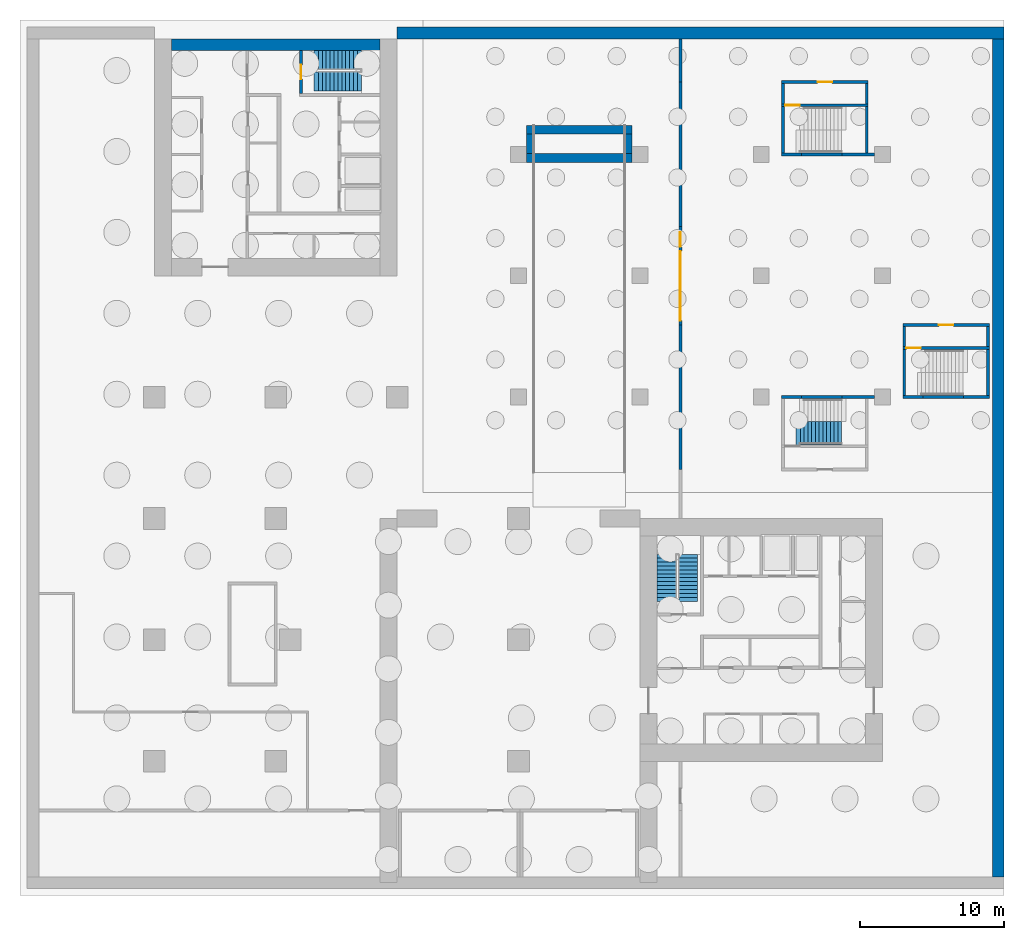
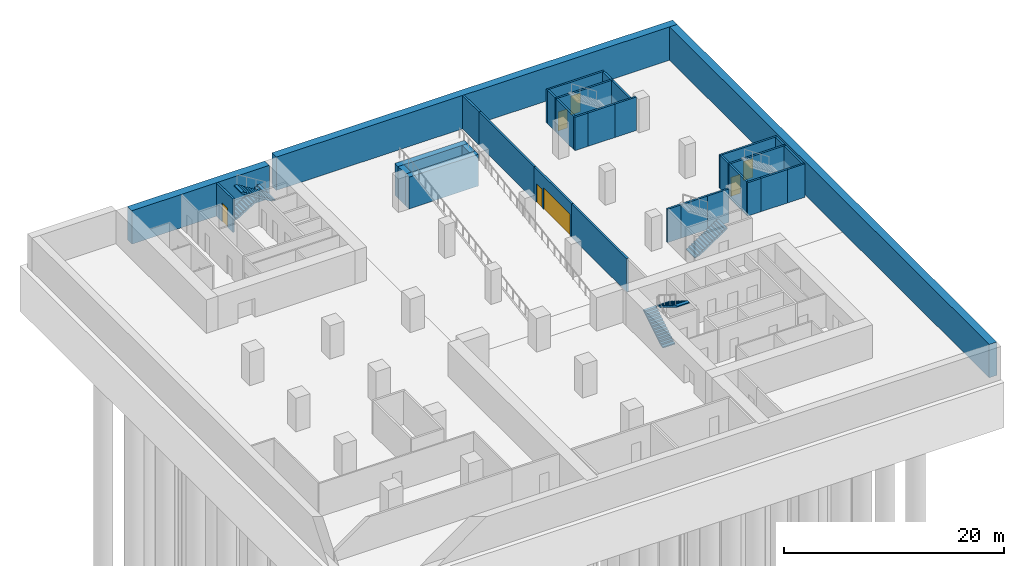
# One storey, part 5 of 8: 33 walls, 7 doors, 5 stair flights, 7 openings, 3 elements without a shape of their own.
"""IFC4 building model written with IfcOpenShell, lengths in metres."""

from ifc_helpers import new_model, si_unit, direction, frame, frame_2d, origin, place, context, subcontext, project, spatial, polyline, rectangle, outline, extrude, material, layer, layer_set, type_object, element, fill, aggregate, save


model = new_model("IFC4")

# Units and contexts
model_context = context("Model", 3, precision=1e-05, world=origin(), true_north=direction((0.0, 1.0)))
body_context = subcontext(model_context, "Body", "Model", "MODEL_VIEW")
ifc_project = project(units=[si_unit("LENGTHUNIT", "METRE"), si_unit("AREAUNIT", "SQUARE_METRE"), si_unit("VOLUMEUNIT", "CUBIC_METRE"), si_unit("PLANEANGLEUNIT", "RADIAN"), si_unit("MASSUNIT", "GRAM", prefix="KILO")], contexts=[model_context])

# Site, building, storey
site_placement = place(None, origin())
site = spatial("IfcSite", under=ifc_project, at=site_placement, CompositionType="ELEMENT")
building_placement = place(site_placement, origin())
building = spatial("IfcBuilding", under=site, at=building_placement, Name="Vermilion Gate Residences", CompositionType="ELEMENT")
storey_placement = place(building_placement, frame((0.0, 0.0, -16.0)))
storey = spatial("IfcBuildingStorey", under=building, at=storey_placement, Name="B4", CompositionType="ELEMENT", Elevation=-16.0)

# Wall
ifc_material_1 = material(Name="Concrete blockwork", Category="masonry")
ifc_layer_1 = layer(ifc_material_1, 0.199951171875)
ifc_layer_set_1 = layer_set([ifc_layer_1], Name="GARAGE FIRE WALL 200 EI 120 (AMENITY)")
wall_type_1 = type_object("IfcWallType", Name="GARAGE FIRE WALL 200 EI 120 (AMENITY)", PredefinedType="PARTITIONING", material=ifc_layer_set_1)
wall_1_placement = place(storey_placement, frame((44.800048828125, 28.60009765625, 0.0), z_axis=(0.0, 0.0, 1.0), x_axis=(0.0, 1.0, 0.0)))
element("IfcWall", 1, at=wall_1_placement, inside=storey, type_object=wall_type_1, Name="Fire compartment wall", PredefinedType="PARTITIONING", context=body_context, shape_type="SweptSolid", body=[
    extrude(rectangle(XDim=10.0, YDim=0.199951171875, at=frame_2d((5.0, 0.0))), origin(), (0.0, 0.0, 1.0), 3.699951171875),
])

# Wall, openings, doors
wall_2_placement = place(storey_placement, frame((44.800048828125, 38.60009765625, 0.0), z_axis=(0.0, 0.0, 1.0), x_axis=(0.0, 1.0, 0.0)))
wall_2 = element("IfcWall", 2, at=wall_2_placement, inside=storey, type_object=wall_type_1, Name="Fire compartment wall", PredefinedType="PARTITIONING", context=body_context, shape_type="SweptSolid", body=[
    extrude(rectangle(XDim=6.7998046875, YDim=0.199951171875, at=frame_2d((3.39990234375, 0.0))), origin(), (0.0, 0.0, 1.0), 3.699951171875),
])
opening_1_placement = place(wall_2_placement, frame((0.300048828125, 0.0, 0.0)))
opening_1 = element("IfcOpeningElement", 3, at=opening_1_placement, cuts=wall_2, Name="Opening DGB4001", PredefinedType="OPENING", context=body_context, shape_type="SweptSolid", body=[
    extrude(rectangle(XDim=4.800048828125, YDim=2.39990234375, at=frame_2d((2.39990234375, 1.199951171875))), frame((0.0, 0.10986328125, 0.0), z_axis=(0.0, -1.0, 0.0), x_axis=(1.0, 0.0, 0.0)), (0.0, 0.0, 1.0), 0.219970703125),
])
opening_2_placement = place(wall_2_placement, frame((5.39990234375, 0.0, 0.0)))
opening_2 = element("IfcOpeningElement", 4, at=opening_2_placement, cuts=wall_2, Name="Opening DGB4002", PredefinedType="OPENING", context=body_context, shape_type="SweptSolid", body=[
    extrude(rectangle(XDim=1.0, YDim=2.10009765625, at=frame_2d((0.5, 1.050048828125))), frame((0.0, 0.10986328125, 0.0), z_axis=(0.0, -1.0, 0.0), x_axis=(1.0, 0.0, 0.0)), (0.0, 0.0, 1.0), 0.219970703125),
])
ifc_material_2 = material(Name="Steel", Category="steel")
door_type_1 = type_object("IfcDoorType", Name="DOOR 1000 X 2100 FD120 (AMENITY)", OperationType="SINGLE_SWING_LEFT", PredefinedType="DOOR", material=ifc_material_2)
door_1_placement = place(opening_2_placement, frame((1.0, 0.0, 0.0), z_axis=(0.0, 0.0, 1.0), x_axis=(-1.0, 0.0, 0.0)))
door_1 = element("IfcDoor", 5, at=door_1_placement, inside=storey, type_object=door_type_1, Name="Fire door", OperationType="SINGLE_SWING_RIGHT", OverallHeight=2.10009765625, OverallWidth=1.0, PredefinedType="DOOR", context=body_context, shape_type="SweptSolid", body=[
    extrude(rectangle(XDim=1.0, YDim=2.10009765625, at=frame_2d((0.5, 1.050048828125))), frame((0.0, 0.02490234375, 0.0), z_axis=(0.0, -1.0, 0.0), x_axis=(1.0, 0.0, 0.0)), (0.0, 0.0, 1.0), 0.050048828125),
])
fill(opening_2, door_1)
ifc_material_3 = material(Name="Steel", Category="steel")
door_type_2 = type_object("IfcDoorType", Name="FIRE SHUTTER 4800 X 2400 (AMENITY)", OperationType="ROLLINGUP", PredefinedType="GATE", material=ifc_material_3)
door_2_placement = place(opening_1_placement, origin())
door_2 = element("IfcDoor", 6, at=door_2_placement, inside=storey, type_object=door_type_2, Name="Fire shutter", OperationType="ROLLINGUP", OverallHeight=2.39990234375, OverallWidth=4.800048828125, PredefinedType="GATE", context=body_context, shape_type="SweptSolid", body=[
    extrude(rectangle(XDim=4.800048828125, YDim=2.39990234375, at=frame_2d((2.39990234375, 1.199951171875))), frame((0.0, 0.02490234375, 0.0), z_axis=(0.0, -1.0, 0.0), x_axis=(1.0, 0.0, 0.0)), (0.0, 0.0, 1.0), 0.050048828125),
])
fill(opening_1, door_2)

# Walls
wall_3_placement = place(storey_placement, frame((44.800048828125, 45.39990234375, 0.0), z_axis=(0.0, 0.0, 1.0), x_axis=(0.0, 1.0, 0.0)))
element("IfcWall", 7, at=wall_3_placement, inside=storey, type_object=wall_type_1, Name="Fire compartment wall", PredefinedType="PARTITIONING", context=body_context, shape_type="SweptSolid", body=[
    extrude(rectangle(XDim=10.0, YDim=0.199951171875, at=frame_2d((5.0, 0.0))), origin(), (0.0, 0.0, 1.0), 3.699951171875),
])
wall_4_placement = place(storey_placement, frame((44.800048828125, 55.39990234375, 0.0), z_axis=(0.0, 0.0, 1.0), x_axis=(0.0, 1.0, 0.0)))
element("IfcWall", 8, at=wall_4_placement, inside=storey, type_object=wall_type_1, Name="Fire compartment wall", PredefinedType="PARTITIONING", context=body_context, shape_type="SweptSolid", body=[
    extrude(rectangle(XDim=3.0, YDim=0.199951171875, at=frame_2d((1.5, 0.0))), origin(), (0.0, 0.0, 1.0), 3.699951171875),
])
ifc_material_4 = material(Name="Concrete C40", Category="concrete")
ifc_layer_2 = layer(ifc_material_4, 0.60009765625)
ifc_layer_set_2 = layer_set([ifc_layer_2], Name="RAMP ABUTMENT WALL 600 (AMENITY)")
wall_type_2 = type_object("IfcWallType", Name="RAMP ABUTMENT WALL 600 (AMENITY)", PredefinedType="SOLIDWALL", material=ifc_layer_set_2)
for number, where, z_axis, x_axis, name in (
    (9, (34.14990234375, 50.14990234375, 0.0), (0.0, 0.0, 1.0), (1.0, 0.0, 0.0), "Ramp 4 abutment springing wall"),
    (10, (34.14990234375, 52.10009765625, 0.0), (0.0, 0.0, 1.0), (1.0, 0.0, 0.0), "Ramp 4 abutment head wall"),
):
    element("IfcWall", number, at=place(storey_placement, frame(where, z_axis=z_axis, x_axis=x_axis)), inside=storey, type_object=wall_type_2, Name=name, PredefinedType="SOLIDWALL", context=body_context, shape_type="SweptSolid", body=[
        extrude(rectangle(XDim=7.300048828125, YDim=0.60009765625, at=frame_2d((3.64990234375, 0.0))), origin(), (0.0, 0.0, 1.0), 3.52001953125),
    ])
for number, where, z_axis, x_axis, name in (
    (11, (34.449951171875, 50.449951171875, 0.0), (0.0, 0.0, 1.0), (0.0, 1.0, 0.0), "Ramp 4 abutment west wing wall"),
    (12, (41.14990234375, 50.449951171875, 0.0), (0.0, 0.0, 1.0), (0.0, 1.0, 0.0), "Ramp 4 abutment east wing wall"),
):
    element("IfcWall", number, at=place(storey_placement, frame(where, z_axis=z_axis, x_axis=x_axis)), inside=storey, type_object=wall_type_2, Name=name, PredefinedType="SOLIDWALL", context=body_context, shape_type="SweptSolid", body=[
        extrude(rectangle(XDim=1.35009765625, YDim=0.60009765625, at=frame_2d((0.675048828125, 0.0))), origin(), (0.0, 0.0, 1.0), 3.52001953125),
    ])

# Wall, opening, door
ifc_material_5 = material(Name="Concrete C60", Category="concrete")
ifc_layer_3 = layer(ifc_material_5, 0.199951171875)
ifc_layer_set_3 = layer_set([ifc_layer_3], Name="RC CORE INTERNAL WALL 200 C60")
wall_type_3 = type_object("IfcWallType", Name="RC CORE INTERNAL WALL 200 C60", PredefinedType="SHEAR", material=ifc_layer_set_3)
wall_5_placement = place(storey_placement, frame((18.550048828125, 57.60009765625, 0.0), z_axis=(0.0, 0.0, 1.0), x_axis=(0.0, -1.0, 0.0)))
wall_5 = element("IfcWall", 13, at=wall_5_placement, inside=storey, type_object=wall_type_3, Name="Core internal wall BB4-STW-S", PredefinedType="SHEAR", context=body_context, shape_type="SweptSolid", body=[
    extrude(rectangle(XDim=3.0, YDim=0.199951171875, at=frame_2d((1.5, 0.0))), origin(), (0.0, 0.0, 1.0), 3.699951171875),
])
opening_3_placement = place(wall_5_placement, frame((1.0, 0.0, 0.0)))
opening_3 = element("IfcOpeningElement", 14, at=opening_3_placement, cuts=wall_5, Name="Opening DKB4111", PredefinedType="OPENING", context=body_context, shape_type="SweptSolid", body=[
    extrude(rectangle(XDim=1.0, YDim=2.10009765625, at=frame_2d((0.5, 1.050048828125))), frame((0.0, 0.10986328125, 0.0), z_axis=(0.0, -1.0, 0.0), x_axis=(1.0, 0.0, 0.0)), (0.0, 0.0, 1.0), 0.219970703125),
])
ifc_material_6 = material(Name="Steel", Category="steel")
door_type_3 = type_object("IfcDoorType", Name="FIRE DOOR FD60 1000 X 2100", OperationType="SINGLE_SWING_LEFT", PredefinedType="DOOR", material=ifc_material_6)
door_3_placement = place(opening_3_placement, origin())
door_3 = element("IfcDoor", 15, at=door_3_placement, inside=storey, type_object=door_type_3, Name="Stair door BB4", OperationType="SINGLE_SWING_LEFT", OverallHeight=2.10009765625, OverallWidth=1.0, PredefinedType="DOOR", context=body_context, shape_type="SweptSolid", body=[
    extrude(rectangle(XDim=1.0, YDim=2.10009765625, at=frame_2d((0.5, 1.050048828125))), frame((0.0, 0.02490234375, 0.0), z_axis=(0.0, -1.0, 0.0), x_axis=(1.0, 0.0, 0.0)), (0.0, 0.0, 1.0), 0.050048828125),
])
fill(opening_3, door_3)

# Walls
ifc_material_7 = material(Name="Concrete C80", Category="concrete")
ifc_layer_4 = layer(ifc_material_7, 0.800048828125)
ifc_layer_set_4 = layer_set([ifc_layer_4], Name="RC CORE WALL 800 C80")
wall_type_4 = type_object("IfcWallType", Name="RC CORE WALL 800 C80", PredefinedType="SHEAR", material=ifc_layer_set_4)
wall_6_placement = place(storey_placement, frame((9.60009765625, 58.0, 0.0), z_axis=(0.0, 0.0, 1.0), x_axis=(1.0, 0.0, 0.0)))
element("IfcWall", 16, at=wall_6_placement, inside=storey, type_object=wall_type_4, Name="Core wall BB4-OUT-FR", PredefinedType="SHEAR", context=body_context, shape_type="SweptSolid", body=[
    extrude(rectangle(XDim=14.39990234375, YDim=0.800048828125, at=frame_2d((7.199951171875, 0.0))), origin(), (0.0, 0.0, 1.0), 3.699951171875),
])
ifc_material_8 = material(Name="Concrete C40", Category="concrete")
ifc_layer_5 = layer(ifc_material_8, 0.800048828125)
ifc_layer_set_5 = layer_set([ifc_layer_5], Name="RC DIAPHRAGM WALL 800 C40")
wall_type_5 = type_object("IfcWallType", Name="RC DIAPHRAGM WALL 800 C40", PredefinedType="SOLIDWALL", material=ifc_layer_set_5)
wall_7_placement = place(storey_placement, frame((25.199951171875, 58.800048828125, 0.0), z_axis=(0.0, 0.0, 1.0), x_axis=(1.0, 0.0, 0.0)))
element("IfcWall", 17, at=wall_7_placement, inside=storey, type_object=wall_type_5, Name="Diaphragm wall B4 1", PredefinedType="SOLIDWALL", context=body_context, shape_type="SweptSolid", body=[
    extrude(rectangle(XDim=42.0, YDim=0.800048828125, at=frame_2d((21.0, 0.0))), origin(), (0.0, 0.0, 1.0), 3.699951171875),
])
wall_8_placement = place(storey_placement, frame((66.800048828125, 0.39990234375, 0.0), z_axis=(0.0, 0.0, 1.0), x_axis=(0.0, 1.0, 0.0)))
element("IfcWall", 18, at=wall_8_placement, inside=storey, type_object=wall_type_5, Name="Diaphragm wall B4 4", PredefinedType="SOLIDWALL", context=body_context, shape_type="SweptSolid", body=[
    extrude(rectangle(XDim=58.0, YDim=0.800048828125, at=frame_2d((29.0, 0.0))), origin(), (0.0, 0.0, 1.0), 3.699951171875),
])
ifc_material_9 = material(Name="Concrete C40", Category="concrete")
ifc_layer_6 = layer(ifc_material_9, 0.199951171875)
ifc_layer_set_6 = layer_set([ifc_layer_6], Name="RC STAIR AND SHAFT WALL 200 EI 180 C40 (AMENITY)")
wall_type_6 = type_object("IfcWallType", Name="RC STAIR AND SHAFT WALL 200 EI 180 C40 (AMENITY)", PredefinedType="SOLIDWALL", material=ifc_layer_set_6)
wall_9_placement = place(storey_placement, frame((51.800048828125, 33.60009765625, 0.0), z_axis=(0.0, 0.0, 1.0), x_axis=(1.0, 0.0, 0.0)))
element("IfcWall", 19, at=wall_9_placement, inside=storey, type_object=wall_type_6, Name="Stair and shaft wall 17", PredefinedType="SOLIDWALL", context=body_context, shape_type="SweptSolid", body=[
    extrude(rectangle(XDim=1.39990234375, YDim=0.199951171875, at=frame_2d((0.699951171875, 0.0))), origin(), (0.0, 0.0, 1.0), 3.699951171875),
])
wall_10_placement = place(storey_placement, frame((51.89990234375, 50.5, 0.0), z_axis=(0.0, 0.0, 1.0), x_axis=(0.0, 1.0, 0.0)))
element("IfcWall", 20, at=wall_10_placement, inside=storey, type_object=wall_type_6, Name="Stair and shaft wall 18", PredefinedType="SOLIDWALL", context=body_context, shape_type="SweptSolid", body=[
    extrude(rectangle(XDim=3.199951171875, YDim=0.199951171875, at=frame_2d((1.60009765625, 0.0))), origin(), (0.0, 0.0, 1.0), 3.699951171875),
])
wall_11_placement = place(storey_placement, frame((51.800048828125, 50.39990234375, 0.0), z_axis=(0.0, 0.0, 1.0), x_axis=(1.0, 0.0, 0.0)))
element("IfcWall", 21, at=wall_11_placement, inside=storey, type_object=wall_type_6, Name="Stair and shaft wall 19", PredefinedType="SOLIDWALL", context=body_context, shape_type="SweptSolid", body=[
    extrude(rectangle(XDim=1.39990234375, YDim=0.199951171875, at=frame_2d((0.699951171875, 0.0))), origin(), (0.0, 0.0, 1.0), 3.699951171875),
])
wall_12_placement = place(storey_placement, frame((51.89990234375, 53.89990234375, 0.0), z_axis=(0.0, 0.0, 1.0), x_axis=(0.0, 1.0, 0.0)))
element("IfcWall", 22, at=wall_12_placement, inside=storey, type_object=wall_type_6, Name="Stair and shaft wall 20", PredefinedType="SOLIDWALL", context=body_context, shape_type="SweptSolid", body=[
    extrude(rectangle(XDim=1.400146484375, YDim=0.199951171875, at=frame_2d((0.7001953125, 0.0))), origin(), (0.0, 0.0, 1.0), 3.699951171875),
])

# Wall, opening, door
wall_13_placement = place(storey_placement, frame((51.800048828125, 53.800048828125, 0.0), z_axis=(0.0, 0.0, 1.0), x_axis=(1.0, 0.0, 0.0)))
wall_13 = element("IfcWall", 23, at=wall_13_placement, inside=storey, type_object=wall_type_6, Name="Stair and shaft wall 21", PredefinedType="SOLIDWALL", context=body_context, shape_type="SweptSolid", body=[
    extrude(rectangle(XDim=6.0, YDim=0.199951171875, at=frame_2d((3.0, 0.0))), origin(), (0.0, 0.0, 1.0), 3.699951171875),
])
opening_4_placement = place(wall_13_placement, frame((0.25, 0.0, 0.0)))
opening_4 = element("IfcOpeningElement", 24, at=opening_4_placement, cuts=wall_13, Name="Opening DMB4007", PredefinedType="OPENING", context=body_context, shape_type="SweptSolid", body=[
    extrude(rectangle(XDim=1.0, YDim=2.10009765625, at=frame_2d((0.5, 1.050048828125))), frame((0.0, 0.10986328125, 0.0), z_axis=(0.0, -1.0, 0.0), x_axis=(1.0, 0.0, 0.0)), (0.0, 0.0, 1.0), 0.219970703125),
])
ifc_material_10 = material(Name="Steel", Category="steel")
door_type_4 = type_object("IfcDoorType", Name="DOOR 1000 X 2100 FD60 (AMENITY)", OperationType="SINGLE_SWING_LEFT", PredefinedType="DOOR", material=ifc_material_10)
door_4_placement = place(opening_4_placement, frame((1.0, 0.0, 0.0), z_axis=(0.0, 0.0, 1.0), x_axis=(-1.0, 0.0, 0.0)))
door_4 = element("IfcDoor", 25, at=door_4_placement, inside=storey, type_object=door_type_4, Name="Door B4 7", OperationType="SINGLE_SWING_RIGHT", OverallHeight=2.10009765625, OverallWidth=1.0, PredefinedType="DOOR", context=body_context, shape_type="SweptSolid", body=[
    extrude(rectangle(XDim=1.0, YDim=2.10009765625, at=frame_2d((0.5, 1.050048828125))), frame((0.0, 0.02490234375, 0.0), z_axis=(0.0, -1.0, 0.0), x_axis=(1.0, 0.0, 0.0)), (0.0, 0.0, 1.0), 0.050048828125),
])
fill(opening_4, door_4)

wall_14_placement = place(storey_placement, frame((51.800048828125, 55.39990234375, 0.0), z_axis=(0.0, 0.0, 1.0), x_axis=(1.0, 0.0, 0.0)))
wall_14 = element("IfcWall", 26, at=wall_14_placement, inside=storey, type_object=wall_type_6, Name="Stair and shaft wall 22", PredefinedType="SOLIDWALL", context=body_context, shape_type="SweptSolid", body=[
    extrude(rectangle(XDim=6.0, YDim=0.199951171875, at=frame_2d((3.0, 0.0))), origin(), (0.0, 0.0, 1.0), 3.699951171875),
])
opening_5_placement = place(wall_14_placement, frame((2.5, 0.0, 0.0)))
opening_5 = element("IfcOpeningElement", 27, at=opening_5_placement, cuts=wall_14, Name="Opening DMB4006", PredefinedType="OPENING", context=body_context, shape_type="SweptSolid", body=[
    extrude(rectangle(XDim=1.0, YDim=2.10009765625, at=frame_2d((0.5, 1.050048828125))), frame((0.0, 0.10986328125, 0.0), z_axis=(0.0, -1.0, 0.0), x_axis=(1.0, 0.0, 0.0)), (0.0, 0.0, 1.0), 0.219970703125),
])
door_5_placement = place(opening_5_placement, origin())
door_5 = element("IfcDoor", 28, at=door_5_placement, inside=storey, type_object=door_type_4, Name="Door B4 6", OperationType="SINGLE_SWING_LEFT", OverallHeight=2.10009765625, OverallWidth=1.0, PredefinedType="DOOR", context=body_context, shape_type="SweptSolid", body=[
    extrude(rectangle(XDim=1.0, YDim=2.10009765625, at=frame_2d((0.5, 1.050048828125))), frame((0.0, 0.02490234375, 0.0), z_axis=(0.0, -1.0, 0.0), x_axis=(1.0, 0.0, 0.0)), (0.0, 0.0, 1.0), 0.050048828125),
])
fill(opening_5, door_5)

# Walls
for number, where, z_axis, x_axis, name in (
    (29, (53.199951171875, 33.60009765625, 0.0), (0.0, 0.0, 1.0), (1.0, 0.0, 0.0), "Stair and shaft wall 23"),
    (30, (53.199951171875, 50.39990234375, 0.0), (0.0, 0.0, 1.0), (1.0, 0.0, 0.0), "Stair and shaft wall 24"),
):
    element("IfcWall", number, at=place(storey_placement, frame(where, z_axis=z_axis, x_axis=x_axis)), inside=storey, type_object=wall_type_6, Name=name, PredefinedType="SOLIDWALL", context=body_context, shape_type="SweptSolid", body=[
        extrude(rectangle(XDim=2.800048828125, YDim=0.199951171875, at=frame_2d((1.39990234375, 0.0))), origin(), (0.0, 0.0, 1.0), 3.699951171875),
    ])
for number, where, z_axis, x_axis, name in (
    (31, (56.0, 33.60009765625, 0.0), (0.0, 0.0, 1.0), (1.0, 0.0, 0.0), "Stair and shaft wall 25"),
    (32, (56.0, 50.39990234375, 0.0), (0.0, 0.0, 1.0), (1.0, 0.0, 0.0), "Stair and shaft wall 26"),
):
    element("IfcWall", number, at=place(storey_placement, frame(where, z_axis=z_axis, x_axis=x_axis)), inside=storey, type_object=wall_type_6, Name=name, PredefinedType="SOLIDWALL", context=body_context, shape_type="SweptSolid", body=[
        extrude(rectangle(XDim=2.25, YDim=0.199951171875, at=frame_2d((1.125, 0.0))), origin(), (0.0, 0.0, 1.0), 3.699951171875),
    ])
wall_15_placement = place(storey_placement, frame((57.699951171875, 50.5, 0.0), z_axis=(0.0, 0.0, 1.0), x_axis=(0.0, 1.0, 0.0)))
element("IfcWall", 33, at=wall_15_placement, inside=storey, type_object=wall_type_6, Name="Stair and shaft wall 29", PredefinedType="SOLIDWALL", context=body_context, shape_type="SweptSolid", body=[
    extrude(rectangle(XDim=3.199951171875, YDim=0.199951171875, at=frame_2d((1.60009765625, 0.0))), origin(), (0.0, 0.0, 1.0), 3.699951171875),
])
wall_16_placement = place(storey_placement, frame((57.699951171875, 53.89990234375, 0.0), z_axis=(0.0, 0.0, 1.0), x_axis=(0.0, 1.0, 0.0)))
element("IfcWall", 34, at=wall_16_placement, inside=storey, type_object=wall_type_6, Name="Stair and shaft wall 30", PredefinedType="SOLIDWALL", context=body_context, shape_type="SweptSolid", body=[
    extrude(rectangle(XDim=1.400146484375, YDim=0.199951171875, at=frame_2d((0.7001953125, 0.0))), origin(), (0.0, 0.0, 1.0), 3.699951171875),
])
wall_17_placement = place(storey_placement, frame((60.300048828125, 33.699951171875, 0.0), z_axis=(0.0, 0.0, 1.0), x_axis=(0.0, 1.0, 0.0)))
element("IfcWall", 35, at=wall_17_placement, inside=storey, type_object=wall_type_6, Name="Stair and shaft wall 31", PredefinedType="SOLIDWALL", context=body_context, shape_type="SweptSolid", body=[
    extrude(rectangle(XDim=3.199951171875, YDim=0.199951171875, at=frame_2d((1.60009765625, 0.0))), origin(), (0.0, 0.0, 1.0), 3.699951171875),
])
wall_18_placement = place(storey_placement, frame((60.199951171875, 33.60009765625, 0.0), z_axis=(0.0, 0.0, 1.0), x_axis=(1.0, 0.0, 0.0)))
element("IfcWall", 36, at=wall_18_placement, inside=storey, type_object=wall_type_6, Name="Stair and shaft wall 32", PredefinedType="SOLIDWALL", context=body_context, shape_type="SweptSolid", body=[
    extrude(rectangle(XDim=1.400146484375, YDim=0.199951171875, at=frame_2d((0.7001953125, 0.0))), origin(), (0.0, 0.0, 1.0), 3.699951171875),
])
wall_19_placement = place(storey_placement, frame((60.300048828125, 37.10009765625, 0.0), z_axis=(0.0, 0.0, 1.0), x_axis=(0.0, 1.0, 0.0)))
element("IfcWall", 37, at=wall_19_placement, inside=storey, type_object=wall_type_6, Name="Stair and shaft wall 33", PredefinedType="SOLIDWALL", context=body_context, shape_type="SweptSolid", body=[
    extrude(rectangle(XDim=1.39990234375, YDim=0.199951171875, at=frame_2d((0.699951171875, 0.0))), origin(), (0.0, 0.0, 1.0), 3.699951171875),
])

# Wall, opening, door
wall_20_placement = place(storey_placement, frame((60.199951171875, 37.0, 0.0), z_axis=(0.0, 0.0, 1.0), x_axis=(1.0, 0.0, 0.0)))
wall_20 = element("IfcWall", 38, at=wall_20_placement, inside=storey, type_object=wall_type_6, Name="Stair and shaft wall 34", PredefinedType="SOLIDWALL", context=body_context, shape_type="SweptSolid", body=[
    extrude(rectangle(XDim=6.0, YDim=0.199951171875, at=frame_2d((3.0, 0.0))), origin(), (0.0, 0.0, 1.0), 3.699951171875),
])
opening_6_placement = place(wall_20_placement, frame((0.25, 0.0, 0.0)))
opening_6 = element("IfcOpeningElement", 39, at=opening_6_placement, cuts=wall_20, Name="Opening DMB4009", PredefinedType="OPENING", context=body_context, shape_type="SweptSolid", body=[
    extrude(rectangle(XDim=1.0, YDim=2.10009765625, at=frame_2d((0.5, 1.050048828125))), frame((0.0, 0.10986328125, 0.0), z_axis=(0.0, -1.0, 0.0), x_axis=(1.0, 0.0, 0.0)), (0.0, 0.0, 1.0), 0.219970703125),
])
door_6_placement = place(opening_6_placement, frame((1.0, 0.0, 0.0), z_axis=(0.0, 0.0, 1.0), x_axis=(-1.0, 0.0, 0.0)))
door_6 = element("IfcDoor", 40, at=door_6_placement, inside=storey, type_object=door_type_4, Name="Door B4 9", OperationType="SINGLE_SWING_LEFT", OverallHeight=2.10009765625, OverallWidth=1.0, PredefinedType="DOOR", context=body_context, shape_type="SweptSolid", body=[
    extrude(rectangle(XDim=1.0, YDim=2.10009765625, at=frame_2d((0.5, 1.050048828125))), frame((0.0, 0.02490234375, 0.0), z_axis=(0.0, -1.0, 0.0), x_axis=(1.0, 0.0, 0.0)), (0.0, 0.0, 1.0), 0.050048828125),
])
fill(opening_6, door_6)

wall_21_placement = place(storey_placement, frame((60.199951171875, 38.60009765625, 0.0), z_axis=(0.0, 0.0, 1.0), x_axis=(1.0, 0.0, 0.0)))
wall_21 = element("IfcWall", 41, at=wall_21_placement, inside=storey, type_object=wall_type_6, Name="Stair and shaft wall 35", PredefinedType="SOLIDWALL", context=body_context, shape_type="SweptSolid", body=[
    extrude(rectangle(XDim=6.0, YDim=0.199951171875, at=frame_2d((3.0, 0.0))), origin(), (0.0, 0.0, 1.0), 3.699951171875),
])
opening_7_placement = place(wall_21_placement, frame((2.5, 0.0, 0.0)))
opening_7 = element("IfcOpeningElement", 42, at=opening_7_placement, cuts=wall_21, Name="Opening DMB4008", PredefinedType="OPENING", context=body_context, shape_type="SweptSolid", body=[
    extrude(rectangle(XDim=1.0, YDim=2.10009765625, at=frame_2d((0.5, 1.050048828125))), frame((0.0, 0.10986328125, 0.0), z_axis=(0.0, -1.0, 0.0), x_axis=(1.0, 0.0, 0.0)), (0.0, 0.0, 1.0), 0.219970703125),
])
door_7_placement = place(opening_7_placement, origin())
door_7 = element("IfcDoor", 43, at=door_7_placement, inside=storey, type_object=door_type_4, Name="Door B4 8", OperationType="SINGLE_SWING_RIGHT", OverallHeight=2.10009765625, OverallWidth=1.0, PredefinedType="DOOR", context=body_context, shape_type="SweptSolid", body=[
    extrude(rectangle(XDim=1.0, YDim=2.10009765625, at=frame_2d((0.5, 1.050048828125))), frame((0.0, 0.02490234375, 0.0), z_axis=(0.0, -1.0, 0.0), x_axis=(1.0, 0.0, 0.0)), (0.0, 0.0, 1.0), 0.050048828125),
])
fill(opening_7, door_7)

# Walls
wall_22_placement = place(storey_placement, frame((61.60009765625, 33.60009765625, 0.0), z_axis=(0.0, 0.0, 1.0), x_axis=(1.0, 0.0, 0.0)))
element("IfcWall", 44, at=wall_22_placement, inside=storey, type_object=wall_type_6, Name="Stair and shaft wall 36", PredefinedType="SOLIDWALL", context=body_context, shape_type="SweptSolid", body=[
    extrude(rectangle(XDim=2.7998046875, YDim=0.199951171875, at=frame_2d((1.39990234375, 0.0))), origin(), (0.0, 0.0, 1.0), 3.699951171875),
])
wall_23_placement = place(storey_placement, frame((64.39990234375, 33.60009765625, 0.0), z_axis=(0.0, 0.0, 1.0), x_axis=(1.0, 0.0, 0.0)))
element("IfcWall", 45, at=wall_23_placement, inside=storey, type_object=wall_type_6, Name="Stair and shaft wall 37", PredefinedType="SOLIDWALL", context=body_context, shape_type="SweptSolid", body=[
    extrude(rectangle(XDim=1.800048828125, YDim=0.199951171875, at=frame_2d((0.89990234375, 0.0))), origin(), (0.0, 0.0, 1.0), 3.699951171875),
])
wall_24_placement = place(storey_placement, frame((66.10009765625, 33.699951171875, 0.0), z_axis=(0.0, 0.0, 1.0), x_axis=(0.0, 1.0, 0.0)))
element("IfcWall", 46, at=wall_24_placement, inside=storey, type_object=wall_type_6, Name="Stair and shaft wall 38", PredefinedType="SOLIDWALL", context=body_context, shape_type="SweptSolid", body=[
    extrude(rectangle(XDim=3.199951171875, YDim=0.199951171875, at=frame_2d((1.60009765625, 0.0))), origin(), (0.0, 0.0, 1.0), 3.699951171875),
])
wall_25_placement = place(storey_placement, frame((66.10009765625, 37.10009765625, 0.0), z_axis=(0.0, 0.0, 1.0), x_axis=(0.0, 1.0, 0.0)))
element("IfcWall", 47, at=wall_25_placement, inside=storey, type_object=wall_type_6, Name="Stair and shaft wall 39", PredefinedType="SOLIDWALL", context=body_context, shape_type="SweptSolid", body=[
    extrude(rectangle(XDim=1.39990234375, YDim=0.199951171875, at=frame_2d((0.699951171875, 0.0))), origin(), (0.0, 0.0, 1.0), 3.699951171875),
])

# Stair, stair flight
ifc_material_11 = material(Name="Concrete C30", Category="concrete")
stair_type_1 = type_object("IfcStairType", Name="ESCAPE STAIR 1200 (AMENITY)", PredefinedType="HALF_TURN_STAIR", material=ifc_material_11)
stair_1_placement = place(storey_placement, origin())
stair_1 = element("IfcStair", 48, at=stair_1_placement, inside=storey, type_object=stair_type_1, Name="Garage escape stair 4 B4 to B3", PredefinedType="HALF_TURN_STAIR")
ifc_material_12 = material(Name="Concrete C30", Category="concrete")
stair_flight_type_1 = type_object("IfcStairFlightType", Name="ESCAPE STAIR FLIGHT 1200 (AMENITY)", PredefinedType="STRAIGHT", material=ifc_material_12)
stair_flight_1_placement = place(storey_placement, frame((53.10009765625, 31.10009765625, 0.0), z_axis=(0.0, 0.0, 1.0), x_axis=(1.0, 0.0, 0.0)))
stair_flight_1 = element("IfcStairFlight", 49, at=stair_flight_1_placement, type_object=stair_flight_type_1, Name="STG4 flight 1", NumberOfRisers=12, NumberOfTreads=11, PredefinedType="STRAIGHT", RiserHeight=0.173913043, TreadLength=0.26, context=body_context, shape_type="SweptSolid", body=[
    extrude(outline(polyline([(-0.300048828125, -0.14990234375), (-0.300048828125, -0.030029296875), (0.0, 0.0), (0.0, 0.173828125), (0.260009765625, 0.173828125), (0.260009765625, 0.347900390625), (0.52001953125, 0.347900390625), (0.52001953125, 0.521728515625), (0.780029296875, 0.521728515625), (0.780029296875, 0.695556640625), (1.0400390625, 0.695556640625), (1.0400390625, 0.86962890625), (1.300048828125, 0.86962890625), (1.300048828125, 1.04345703125), (1.56005859375, 1.04345703125), (1.56005859375, 1.21728515625), (1.820068359375, 1.21728515625), (1.820068359375, 1.391357421875), (2.080078125, 1.391357421875), (2.080078125, 1.565185546875), (2.340087890625, 1.565185546875), (2.340087890625, 1.739013671875), (2.60009765625, 1.739013671875), (2.60009765625, 1.9130859375), (2.860107421875, 1.9130859375), (2.860107421875, 2.0869140625), (3.159912109375, 2.056884765625), (3.159912109375, 1.93701171875), (2.860107421875, 1.732666015625), (0.26953125, 0.0), (-0.300048828125, -0.14990234375)])), frame((0.0, 0.800048828125, 0.0), z_axis=(0.0, -1.0, 0.0), x_axis=(1.0, 0.0, 0.0)), (0.0, 0.0, 1.0), 1.60009765625),
])
aggregate(stair_1, [stair_flight_1])

# Stair, stair flights
ifc_material_13 = material(Name="Concrete C50", Category="concrete")
stair_type_2 = type_object("IfcStairType", Name="SPECIAL ESCAPE STAIR 1300", PredefinedType="HALF_TURN_STAIR", material=ifc_material_13)
stair_2_placement = place(storey_placement, origin())
stair_2 = element("IfcStair", 50, at=stair_2_placement, inside=storey, type_object=stair_type_2, Name="Special escape stair STA1-B4", PredefinedType="HALF_TURN_STAIR")
ifc_material_14 = material(Name="Concrete C50", Category="concrete")
stair_flight_type_2 = type_object("IfcStairFlightType", Name="STAIR FLIGHT 1300 RC C50", PredefinedType="STRAIGHT", material=ifc_material_14)
stair_flight_2_placement = place(storey_placement, frame((43.85009765625, 19.75, 0.0), z_axis=(0.0, 0.0, 1.0), x_axis=(0.0, 1.0, 0.0)))
stair_flight_2 = element("IfcStairFlight", 51, at=stair_flight_2_placement, type_object=stair_flight_type_2, Name="STA1-B4 flight 1", NumberOfRisers=12, NumberOfTreads=11, PredefinedType="STRAIGHT", RiserHeight=0.166666667, TreadLength=0.27, context=body_context, shape_type="SweptSolid", body=[
    extrude(outline(polyline([(-0.300048828125, -0.14990234375), (-0.300048828125, -0.030029296875), (0.0, 0.0), (0.0, 0.166748046875), (0.27001953125, 0.166748046875), (0.27001953125, 0.333251953125), (0.5400390625, 0.333251953125), (0.5400390625, 0.5), (0.81005859375, 0.5), (0.81005859375, 0.666748046875), (1.080078125, 0.666748046875), (1.080078125, 0.833251953125), (1.35009765625, 0.833251953125), (1.35009765625, 1.0), (1.6201171875, 1.0), (1.6201171875, 1.166748046875), (1.889892578125, 1.166748046875), (1.889892578125, 1.333251953125), (2.159912109375, 1.333251953125), (2.159912109375, 1.5), (2.429931640625, 1.5), (2.429931640625, 1.666748046875), (2.699951171875, 1.666748046875), (2.699951171875, 1.833251953125), (2.969970703125, 1.833251953125), (2.969970703125, 2.0), (3.27001953125, 1.969970703125), (3.27001953125, 1.85009765625), (2.969970703125, 1.6572265625), (0.285400390625, 0.0), (-0.300048828125, -0.14990234375)])), frame((0.0, 0.64990234375, 0.0), z_axis=(0.0, -1.0, 0.0), x_axis=(1.0, 0.0, 0.0)), (0.0, 0.0, 1.0), 1.300048828125),
])
stair_flight_3_placement = place(storey_placement, frame((45.35009765625, 22.719970703125, 2.0), z_axis=(0.0, 0.0, 1.0), x_axis=(0.0, -1.0, 0.0)))
stair_flight_3 = element("IfcStairFlight", 52, at=stair_flight_3_placement, type_object=stair_flight_type_2, Name="STA1-B4 flight 2", NumberOfRisers=12, NumberOfTreads=11, PredefinedType="STRAIGHT", RiserHeight=0.166666667, TreadLength=0.27, context=body_context, shape_type="SweptSolid", body=[
    extrude(outline(polyline([(-0.300048828125, -0.14990234375), (-0.300048828125, -0.030029296875), (0.0, 0.0), (0.0, 0.166748046875), (0.27001953125, 0.166748046875), (0.27001953125, 0.333251953125), (0.5400390625, 0.333251953125), (0.5400390625, 0.5), (0.81005859375, 0.5), (0.81005859375, 0.666748046875), (1.080078125, 0.666748046875), (1.080078125, 0.833251953125), (1.35009765625, 0.833251953125), (1.35009765625, 1.0), (1.6201171875, 1.0), (1.6201171875, 1.166748046875), (1.889892578125, 1.166748046875), (1.889892578125, 1.333251953125), (2.159912109375, 1.333251953125), (2.159912109375, 1.5), (2.429931640625, 1.5), (2.429931640625, 1.666748046875), (2.699951171875, 1.666748046875), (2.699951171875, 1.833251953125), (2.969970703125, 1.833251953125), (2.969970703125, 2.0), (3.27001953125, 1.969970703125), (3.27001953125, 1.85009765625), (2.969970703125, 1.6572265625), (0.285400390625, 0.0), (-0.300048828125, -0.14990234375)])), frame((0.0, 0.64990234375, 0.0), z_axis=(0.0, -1.0, 0.0), x_axis=(1.0, 0.0, 0.0)), (0.0, 0.0, 1.0), 1.300048828125),
])
aggregate(stair_2, [stair_flight_2, stair_flight_3])

stair_3_placement = place(storey_placement, origin())
stair_3 = element("IfcStair", 53, at=stair_3_placement, inside=storey, type_object=stair_type_2, Name="Special escape stair STB1-B4", PredefinedType="HALF_TURN_STAIR")
stair_flight_4_placement = place(storey_placement, frame((19.75, 56.949951171875, 0.0), z_axis=(0.0, 0.0, 1.0), x_axis=(1.0, 0.0, 0.0)))
stair_flight_4 = element("IfcStairFlight", 54, at=stair_flight_4_placement, type_object=stair_flight_type_2, Name="STB1-B4 flight 1", NumberOfRisers=12, NumberOfTreads=11, PredefinedType="STRAIGHT", RiserHeight=0.166666667, TreadLength=0.27, context=body_context, shape_type="SweptSolid", body=[
    extrude(outline(polyline([(-0.300048828125, -0.14990234375), (-0.300048828125, -0.030029296875), (0.0, 0.0), (0.0, 0.166748046875), (0.27001953125, 0.166748046875), (0.27001953125, 0.333251953125), (0.5400390625, 0.333251953125), (0.5400390625, 0.5), (0.81005859375, 0.5), (0.81005859375, 0.666748046875), (1.080078125, 0.666748046875), (1.080078125, 0.833251953125), (1.35009765625, 0.833251953125), (1.35009765625, 1.0), (1.6201171875, 1.0), (1.6201171875, 1.166748046875), (1.889892578125, 1.166748046875), (1.889892578125, 1.333251953125), (2.159912109375, 1.333251953125), (2.159912109375, 1.5), (2.429931640625, 1.5), (2.429931640625, 1.666748046875), (2.699951171875, 1.666748046875), (2.699951171875, 1.833251953125), (2.969970703125, 1.833251953125), (2.969970703125, 2.0), (3.27001953125, 1.969970703125), (3.27001953125, 1.85009765625), (2.969970703125, 1.6572265625), (0.285400390625, 0.0), (-0.300048828125, -0.14990234375)])), frame((0.0, 0.64990234375, 0.0), z_axis=(0.0, -1.0, 0.0), x_axis=(1.0, 0.0, 0.0)), (0.0, 0.0, 1.0), 1.300048828125),
])
stair_flight_5_placement = place(storey_placement, frame((22.719970703125, 55.449951171875, 2.0), z_axis=(0.0, 0.0, 1.0), x_axis=(-1.0, 0.0, 0.0)))
stair_flight_5 = element("IfcStairFlight", 55, at=stair_flight_5_placement, type_object=stair_flight_type_2, Name="STB1-B4 flight 2", NumberOfRisers=12, NumberOfTreads=11, PredefinedType="STRAIGHT", RiserHeight=0.166666667, TreadLength=0.27, context=body_context, shape_type="SweptSolid", body=[
    extrude(outline(polyline([(-0.300048828125, -0.14990234375), (-0.300048828125, -0.030029296875), (0.0, 0.0), (0.0, 0.166748046875), (0.27001953125, 0.166748046875), (0.27001953125, 0.333251953125), (0.5400390625, 0.333251953125), (0.5400390625, 0.5), (0.81005859375, 0.5), (0.81005859375, 0.666748046875), (1.080078125, 0.666748046875), (1.080078125, 0.833251953125), (1.35009765625, 0.833251953125), (1.35009765625, 1.0), (1.6201171875, 1.0), (1.6201171875, 1.166748046875), (1.889892578125, 1.166748046875), (1.889892578125, 1.333251953125), (2.159912109375, 1.333251953125), (2.159912109375, 1.5), (2.429931640625, 1.5), (2.429931640625, 1.666748046875), (2.699951171875, 1.666748046875), (2.699951171875, 1.833251953125), (2.969970703125, 1.833251953125), (2.969970703125, 2.0), (3.27001953125, 1.969970703125), (3.27001953125, 1.85009765625), (2.969970703125, 1.6572265625), (0.285400390625, 0.0), (-0.300048828125, -0.14990234375)])), frame((0.0, 0.64990234375, 0.0), z_axis=(0.0, -1.0, 0.0), x_axis=(1.0, 0.0, 0.0)), (0.0, 0.0, 1.0), 1.300048828125),
])
aggregate(stair_3, [stair_flight_4, stair_flight_5])

save(model, "model.ifc")
